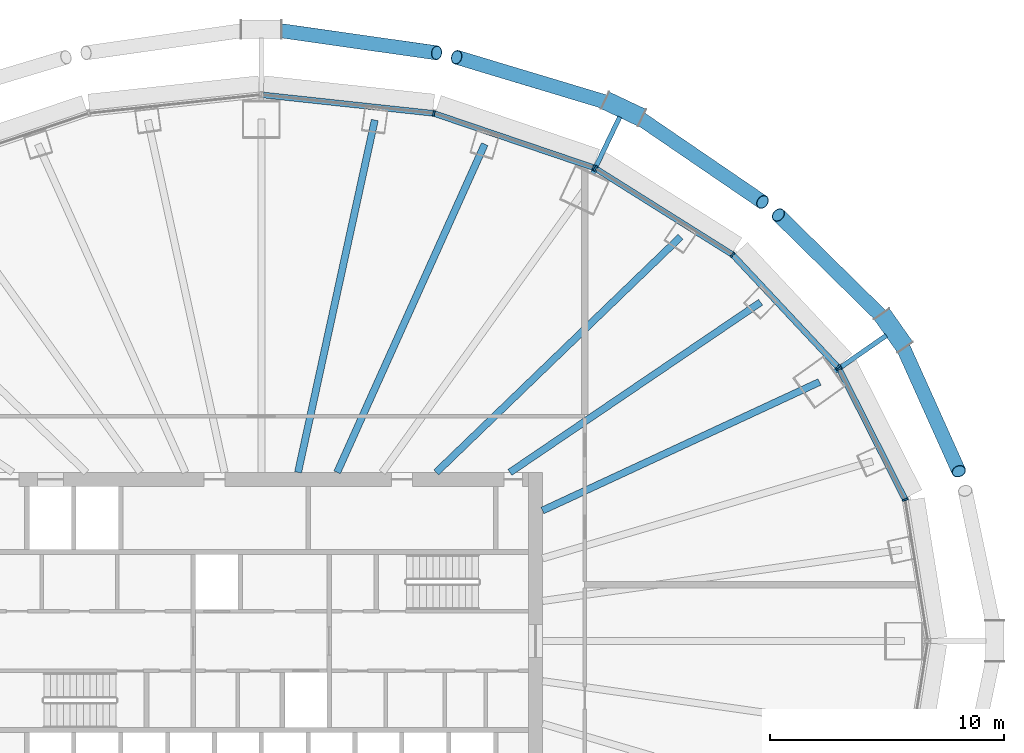
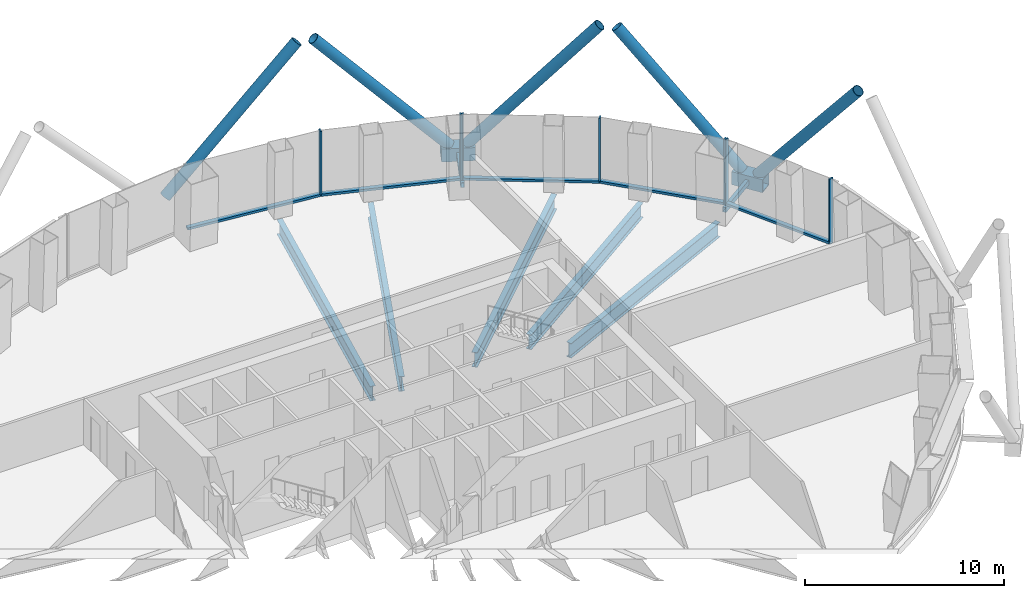
# One storey, part 5 of 16: 21 members, 5 beams, 3 elements without a shape of their own.
"""IFC4 building model written with IfcOpenShell, lengths in metres."""

import ifcopenshell
import ifcopenshell.guid

model = None  # the IFC model being written
_history = None  # IfcOwnerHistory: only IFC2X3 demands one
_inside = {}  # id of a spatial element -> (the spatial element, [elements in it])
_under = {}  # id of a project, library or spatial element -> (it, [spatial elements below it])
_declared = {}  # id of a project -> (the project, [libraries it declares])
_typed = {}  # id of a type object -> (the type object, [elements of that type])
_made_of = {}  # id of a material, layer set ... -> (it, [elements and type objects made of it])


def new_model(schema):
    """Start an empty IFC model of exactly this schema.

    Asked for "IFC4X3", IfcOpenShell would pick the latest addendum, in which some entities
    have other attributes; the version numbers below select the first issue.
    IFC2X3 requires an IfcOwnerHistory on every rooted entity: one is made here for all.
    """
    global model, _history
    if schema == "IFC4X3":
        model = ifcopenshell.file(schema_version=(4, 3, 0, 0))
    else:
        model = ifcopenshell.file(schema=schema)
    _inside.clear()
    _under.clear()
    _declared.clear()
    _typed.clear()
    _made_of.clear()
    _history = None
    if model.schema == "IFC2X3":
        org = make("IfcOrganization", Name="unknown")
        user = make(
            "IfcPersonAndOrganization",
            ThePerson=make("IfcPerson", FamilyName="unknown"),
            TheOrganization=org,
        )
        app = make(
            "IfcApplication",
            ApplicationDeveloper=org,
            Version="unknown",
            ApplicationFullName="unknown",
            ApplicationIdentifier="unknown",
        )
        _history = make(
            "IfcOwnerHistory",
            OwningUser=user,
            OwningApplication=app,
            ChangeAction="ADDED",
            CreationDate=0,
        )
    return model


def make(cls, **values):
    """One entity of the class cls with the attributes given. An attribute that is None is left unset."""
    return model.create_entity(
        cls, **{name: value for name, value in values.items() if value is not None}
    )


def rooted(cls, **values):
    """An entity with a GlobalId (a new one), such as an element, a storey or a relation."""
    return make(cls, GlobalId=ifcopenshell.guid.new(), OwnerHistory=_history, **values)


def si_unit(unit_type, name, prefix=None):
    """IfcSIUnit, for example si_unit("LENGTHUNIT", "METRE", prefix="MILLI")."""
    return make("IfcSIUnit", UnitType=unit_type, Prefix=prefix, Name=name)


def assignment(units):
    """IfcUnitAssignment: the units of a project."""
    return None if units is None else make("IfcUnitAssignment", Units=units)


def point(xyz):
    """IfcCartesianPoint."""
    return None if xyz is None else make("IfcCartesianPoint", Coordinates=xyz)


def direction(xyz):
    """IfcDirection."""
    return None if xyz is None else make("IfcDirection", DirectionRatios=xyz)


def frame(location, z_axis=None, x_axis=None):
    """IfcAxis2Placement3D, a coordinate frame: its origin and axes. An axis left out is left unset."""
    return make(
        "IfcAxis2Placement3D",
        Location=point(location),
        Axis=direction(z_axis),
        RefDirection=direction(x_axis),
    )


def frame_2d(location, x_axis=None):
    """IfcAxis2Placement2D, a coordinate frame in the plane: its origin and x axis."""
    return make(
        "IfcAxis2Placement2D", Location=point(location), RefDirection=direction(x_axis)
    )


def origin():
    """The frame at (0, 0, 0) with its axes left unset."""
    return frame((0.0, 0.0, 0.0))


def origin_2d():
    """The frame at (0, 0) in the plane with its x axis left unset."""
    return frame_2d((0.0, 0.0))


def place(relative_to, where):
    """IfcLocalPlacement: puts the frame where relative to a parent placement (None: the world)."""
    return make(
        "IfcLocalPlacement", PlacementRelTo=relative_to, RelativePlacement=where
    )


def context(
    kind, dimensions, precision=None, world=None, true_north=None, identifier=None
):
    """IfcGeometricRepresentationContext, for example the 3D "Model" context."""
    return make(
        "IfcGeometricRepresentationContext",
        ContextIdentifier=identifier,
        ContextType=kind,
        CoordinateSpaceDimension=dimensions,
        Precision=precision,
        WorldCoordinateSystem=world,
        TrueNorth=true_north,
    )


def subcontext(parent, identifier, kind, view, scale=None):
    """IfcGeometricRepresentationSubContext, for example "Body" below "Model"."""
    return make(
        "IfcGeometricRepresentationSubContext",
        ContextIdentifier=identifier,
        ContextType=kind,
        ParentContext=parent,
        TargetScale=scale,
        TargetView=view,
    )


def project(units=None, contexts=None):
    """IfcProject with its units and contexts."""
    return rooted(
        "IfcProject",
        Name="project",
        RepresentationContexts=contexts,
        UnitsInContext=assignment(units),
    )


def spatial(cls, under=None, at=None, **own):
    """A site, building, storey or space (cls), placed at a placement, below another one or the project."""
    s = rooted(cls, ObjectPlacement=at, **own)
    if under is not None:
        _under.setdefault(under.id(), (under, []))[1].append(s)
    return s


def profile(cls, at=None, kind="AREA", **sizes):
    """A parametric profile (cls). Its sizes go by their IFC names, for example OverallWidth=200.0."""
    return make(cls, ProfileType=kind, Position=at, **sizes)


def rectangle(**sizes):
    """IfcRectangleProfileDef."""
    return profile("IfcRectangleProfileDef", **sizes)


def hollow_rectangle(**sizes):
    """IfcRectangleHollowProfileDef."""
    return profile("IfcRectangleHollowProfileDef", **sizes)


def hollow_circle(**sizes):
    """IfcCircleHollowProfileDef."""
    return profile("IfcCircleHollowProfileDef", **sizes)


def i_section(**sizes):
    """IfcIShapeProfileDef."""
    return profile("IfcIShapeProfileDef", **sizes)


def extrude(swept, where, along, depth):
    """IfcExtrudedAreaSolid: the profile swept, set in the frame where, extruded along a direction by depth."""
    return make(
        "IfcExtrudedAreaSolid",
        SweptArea=swept,
        Position=where,
        ExtrudedDirection=direction(along),
        Depth=depth,
    )


def shape(context_of_items, identifier, shape_type, items):
    """IfcShapeRepresentation: the items that make up one representation, for example the "Body"."""
    return make(
        "IfcShapeRepresentation",
        ContextOfItems=context_of_items,
        RepresentationIdentifier=identifier,
        RepresentationType=shape_type,
        Items=items,
    )


def material(Name=None, Category=None):
    """IfcMaterial."""
    return make("IfcMaterial", Name=Name, Category=Category)


def layer(
    of_material, thickness, ventilated=None, Name=None, Category=None, Priority=None
):
    """IfcMaterialLayer: one layer of a wall or slab, of a material (None: an air gap)."""
    return make(
        "IfcMaterialLayer",
        Material=of_material,
        LayerThickness=thickness,
        IsVentilated=ventilated,
        Name=Name,
        Category=Category,
        Priority=Priority,
    )


def layer_set(layers, Name=None):
    """IfcMaterialLayerSet."""
    return make("IfcMaterialLayerSet", MaterialLayers=layers, LayerSetName=Name)


def material_profile(
    of_material, cross_section, Name=None, Category=None, Priority=None
):
    """IfcMaterialProfile: a cross section and its material."""
    return make(
        "IfcMaterialProfile",
        Name=Name,
        Material=of_material,
        Profile=cross_section,
        Priority=Priority,
        Category=Category,
    )


def profile_set(profiles, Name=None, composite=None):
    """IfcMaterialProfileSet."""
    return make(
        "IfcMaterialProfileSet",
        Name=Name,
        MaterialProfiles=profiles,
        CompositeProfile=composite,
    )


def made_of(thing, what):
    """Note that an element or type object is made of a material, layer set ...; save() writes the relation."""
    if what is not None:
        _made_of.setdefault(what.id(), (what, []))[1].append(thing)
    return thing


def type_object(cls, material=None, **own):
    """A type object (cls), such as IfcWallType, which elements share."""
    return made_of(rooted(cls, **own), material)


def element(
    cls,
    number,
    at=None,
    inside=None,
    cuts=None,
    type_object=None,
    material=None,
    context=None,
    identifier="Body",
    shape_type=None,
    held_by="IfcProductDefinitionShape",
    body=None,
    shapes=None,
    **own,
):
    """One element of the class cls, such as IfcWall. Its Tag is "e" and its number.

    at: its placement. inside: the storey or other place that contains it. cuts: it is an
    opening in that element (IfcRelVoidsElement). A single representation is given by context,
    identifier, shape_type and body (its items); several are given by shapes. held_by: the class
    of the entity that holds the representations. save() writes the other relations.
    """
    e = rooted(cls, Tag="e%d" % number, ObjectPlacement=at, **own)
    if body is not None:
        shapes = [shape(context, identifier, shape_type, body)]
    if shapes is not None:
        e.Representation = make(held_by, Representations=shapes)
    if inside is not None:
        _inside.setdefault(inside.id(), (inside, []))[1].append(e)
    if cuts is not None:
        rooted(
            "IfcRelVoidsElement", RelatingBuildingElement=cuts, RelatedOpeningElement=e
        )
    if type_object is not None:
        _typed.setdefault(type_object.id(), (type_object, []))[1].append(e)
    return made_of(e, material)


def aggregate(whole, parts):
    """IfcRelAggregates: a whole, such as a stair, and the parts it consists of."""
    return rooted("IfcRelAggregates", RelatingObject=whole, RelatedObjects=parts)


def save(model, path):
    """Write the relations noted so far, then the file.

    IfcRelAggregates (storeys below a building ...), IfcRelContainedInSpatialStructure (elements
    in a storey), IfcRelDefinesByType, IfcRelAssociatesMaterial and IfcRelDeclares: one each for
    every whole, place, type object, material and project.
    """
    for whole, parts in _under.values():
        aggregate(whole, parts)
    for where, things in _inside.values():
        rooted(
            "IfcRelContainedInSpatialStructure",
            RelatedElements=things,
            RelatingStructure=where,
        )
    for kind, things in _typed.values():
        rooted("IfcRelDefinesByType", RelatedObjects=things, RelatingType=kind)
    for what, things in _made_of.values():
        rooted("IfcRelAssociatesMaterial", RelatedObjects=things, RelatingMaterial=what)
    for by, libraries in _declared.values():
        rooted("IfcRelDeclares", RelatingContext=by, RelatedDefinitions=libraries)
    model.write(path)


model = new_model("IFC4")

# Units and contexts
model_context = context("Model", 3, precision=1e-05, world=origin(), true_north=direction((0.0, 1.0)))
body_context = subcontext(model_context, "Body", "Model", "MODEL_VIEW")
ifc_project = project(units=[si_unit("LENGTHUNIT", "METRE"), si_unit("AREAUNIT", "SQUARE_METRE"), si_unit("VOLUMEUNIT", "CUBIC_METRE"), si_unit("PLANEANGLEUNIT", "RADIAN"), si_unit("MASSUNIT", "GRAM", prefix="KILO")], contexts=[model_context])

# Site, building, storey
site_placement = place(None, origin())
site = spatial("IfcSite", under=ifc_project, at=site_placement, CompositionType="ELEMENT")
building_placement = place(site_placement, origin())
building = spatial("IfcBuilding", under=site, at=building_placement, Name="Siaravel Broadcast Tower", CompositionType="ELEMENT")
storey_placement = place(building_placement, frame((0.0, 0.0, 28.699951171875)))
storey = spatial("IfcBuildingStorey", under=building, at=storey_placement, Name="L05", CompositionType="ELEMENT", Elevation=28.699951171875)

# Beams
ifc_material_1 = material(Name="Steel S355", Category="steel")
ifc_material_profile_1 = material_profile(ifc_material_1, i_section(OverallWidth=0.30322265625, OverallDepth=0.903076171875, WebThickness=0.01513671875, FlangeThickness=0.020263671875, FilletRadius=0.01904296875, at=origin_2d()))
ifc_profile_set_1 = profile_set([ifc_material_profile_1], Name="Steel S355")
beam_type = type_object("IfcBeamType", Name="BM-UB 914x305x201", PredefinedType="BEAM", material=ifc_profile_set_1)
beam_1_placement = place(storey_placement, frame((23.824951171875, 11.05859375, -0.8515625), z_axis=(-0.907056733, -0.421008412, 0.0), x_axis=(0.421008412, -0.907056733, 0.0)))
element("IfcBeam", 1, at=beam_1_placement, inside=storey, type_object=beam_type, Name="Radial beam RB04", PredefinedType="BEAM", context=body_context, shape_type="SweptSolid", body=[
    extrude(i_section(OverallWidth=0.30322265625, OverallDepth=0.903076171875, WebThickness=0.01513671875, FlangeThickness=0.020263671875, FilletRadius=0.01904296875, at=origin_2d()), origin(), (0.0, 0.0, 1.0), 13.03662109375),
])
beam_2_placement = place(storey_placement, frame((21.310791015625, 14.458984375, -0.8515625), z_axis=(-0.827505228, -0.561458011, 0.0), x_axis=(0.561458011, -0.827505228, 0.0)))
element("IfcBeam", 2, at=beam_2_placement, inside=storey, type_object=beam_type, Name="Radial beam RB05", PredefinedType="BEAM", context=body_context, shape_type="SweptSolid", body=[
    extrude(i_section(OverallWidth=0.30322265625, OverallDepth=0.903076171875, WebThickness=0.01513671875, FlangeThickness=0.020263671875, FilletRadius=0.01904296875, at=origin_2d()), origin(), (0.0, 0.0, 1.0), 12.928955078125),
])
beam_3_placement = place(storey_placement, frame((17.897705078125, 17.25439453125, -0.8515625), z_axis=(-0.719923086, -0.694053852, 0.0), x_axis=(0.694053852, -0.719923086, 0.0)))
element("IfcBeam", 3, at=beam_3_placement, inside=storey, type_object=beam_type, Name="Radial beam RB06", PredefinedType="BEAM", context=body_context, shape_type="SweptSolid", body=[
    extrude(i_section(OverallWidth=0.30322265625, OverallDepth=0.903076171875, WebThickness=0.01513671875, FlangeThickness=0.020263671875, FilletRadius=0.01904296875, at=origin_2d()), origin(), (0.0, 0.0, 1.0), 14.486572265625),
])
beam_4_placement = place(storey_placement, frame((9.535888671875, 21.2080078125, -0.8515625), z_axis=(-0.41009169, -0.9120443, 0.0), x_axis=(0.9120443, -0.41009169, 0.0)))
element("IfcBeam", 4, at=beam_4_placement, inside=storey, type_object=beam_type, Name="Radial beam RB08", PredefinedType="BEAM", context=body_context, shape_type="SweptSolid", body=[
    extrude(i_section(OverallWidth=0.30322265625, OverallDepth=0.903076171875, WebThickness=0.01513671875, FlangeThickness=0.020263671875, FilletRadius=0.01904296875, at=origin_2d()), origin(), (0.0, 0.0, 1.0), 15.35888671875),
])
beam_5_placement = place(storey_placement, frame((4.843017578125, 22.23779296875, -0.8515625), z_axis=(-0.212789875, -0.977097983, 0.0), x_axis=(0.977097983, -0.212789875, 0.0)))
element("IfcBeam", 5, at=beam_5_placement, inside=storey, type_object=beam_type, Name="Radial beam RB09", PredefinedType="BEAM", context=body_context, shape_type="SweptSolid", body=[
    extrude(i_section(OverallWidth=0.30322265625, OverallDepth=0.903076171875, WebThickness=0.01513671875, FlangeThickness=0.020263671875, FilletRadius=0.01904296875, at=origin_2d()), origin(), (0.0, 0.0, 1.0), 15.390380859375),
])

# Curtain wall, members
ifc_material_2 = material(Name="Aluminium 6063-T6", Category="aluminium")
ifc_layer = layer(ifc_material_2, 0.25)
ifc_layer_set = layer_set([ifc_layer], Name="Aluminium 6063-T6")
curtain_wall_type = type_object("IfcCurtainWallType", Name="Podium newsroom glazing", PredefinedType="NOTDEFINED", material=ifc_layer_set)
curtain_wall_1_placement = place(storey_placement, origin())
curtain_wall_1 = element("IfcCurtainWall", 6, at=curtain_wall_1_placement, inside=storey, type_object=curtain_wall_type, Name="L05 Podium newsroom glazing 01", PredefinedType="NOTDEFINED")
ifc_material_profile_2 = material_profile(ifc_material_2, rectangle(XDim=0.25, YDim=0.080078125, at=origin_2d()))
ifc_profile_set_2 = profile_set([ifc_material_profile_2], Name="Aluminium 6063-T6")
member_type_1 = type_object("IfcMemberType", Name="CW-PD mullion", PredefinedType="MULLION", material=ifc_profile_set_2)
member_1_placement = place(storey_placement, frame((27.4833984375, 6.037109375, 0.0), z_axis=(0.0, 0.0, 1.0), x_axis=(-0.951176868, -0.308646343, 0.0)))
member_1 = element("IfcMember", 7, at=member_1_placement, type_object=member_type_1, Name="CW-PD mullion 2", PredefinedType="MULLION", context=body_context, shape_type="SweptSolid", body=[
    extrude(rectangle(XDim=0.25, YDim=0.080078125, at=origin_2d()), origin(), (0.0, 0.0, 1.0), 4.0),
])
member_2_placement = place(storey_placement, frame((24.6572265625, 11.6259765625, 0.0), z_axis=(0.0, 0.0, 1.0), x_axis=(-0.89239138, -0.451262258, 0.0)))
member_2 = element("IfcMember", 8, at=member_2_placement, type_object=member_type_1, Name="CW-PD mullion 3", PredefinedType="MULLION", context=body_context, shape_type="SweptSolid", body=[
    extrude(rectangle(XDim=0.25, YDim=0.080078125, at=origin_2d()), origin(), (0.0, 0.0, 1.0), 4.0),
])

curtain_wall_2_placement = place(storey_placement, origin())
curtain_wall_2 = element("IfcCurtainWall", 9, at=curtain_wall_2_placement, inside=storey, type_object=curtain_wall_type, Name="L05 Podium newsroom glazing 02", PredefinedType="NOTDEFINED")
member_3_placement = place(storey_placement, frame((24.61181640625, 11.69091796875, 0.0), z_axis=(0.0, 0.0, 1.0), x_axis=(-0.729804146, -0.68365628, 0.0)))
member_3 = element("IfcMember", 10, at=member_3_placement, type_object=member_type_1, Name="CW-PD mullion 1", PredefinedType="MULLION", context=body_context, shape_type="SweptSolid", body=[
    extrude(rectangle(XDim=0.25, YDim=0.080078125, at=origin_2d()), origin(), (0.0, 0.0, 1.0), 4.0),
])
member_4_placement = place(storey_placement, frame((20.1162109375, 16.489990234375, 0.0), z_axis=(0.0, 0.0, 1.0), x_axis=(-0.636217558, -0.771509701, 0.0)))
member_4 = element("IfcMember", 11, at=member_4_placement, type_object=member_type_1, Name="CW-PD mullion 2", PredefinedType="MULLION", context=body_context, shape_type="SweptSolid", body=[
    extrude(rectangle(XDim=0.25, YDim=0.080078125, at=origin_2d()), origin(), (0.0, 0.0, 1.0), 4.0),
])
member_5_placement = place(storey_placement, frame((14.257080078125, 20.172607421875, 0.0), z_axis=(0.0, 0.0, 1.0), x_axis=(-0.532148221, -0.84665121, 0.0)))
member_5 = element("IfcMember", 12, at=member_5_placement, type_object=member_type_1, Name="CW-PD mullion 3", PredefinedType="MULLION", context=body_context, shape_type="SweptSolid", body=[
    extrude(rectangle(XDim=0.25, YDim=0.080078125, at=origin_2d()), origin(), (0.0, 0.0, 1.0), 4.0),
])

curtain_wall_3_placement = place(storey_placement, origin())
curtain_wall_3 = element("IfcCurtainWall", 13, at=curtain_wall_3_placement, inside=storey, type_object=curtain_wall_type, Name="L05 Podium newsroom glazing 03", PredefinedType="NOTDEFINED")
member_6_placement = place(storey_placement, frame((14.185302734375, 20.206787109375, 0.0), z_axis=(0.0, 0.0, 1.0), x_axis=(-0.321299974, -0.946977469, 0.0)))
member_6 = element("IfcMember", 14, at=member_6_placement, type_object=member_type_1, Name="CW-PD mullion 1", PredefinedType="MULLION", context=body_context, shape_type="SweptSolid", body=[
    extrude(rectangle(XDim=0.25, YDim=0.080078125, at=origin_2d()), origin(), (0.0, 0.0, 1.0), 4.0),
])
member_7_placement = place(storey_placement, frame((7.362060546875, 22.521728515625, 0.0), z_axis=(0.0, 0.0, 1.0), x_axis=(-0.215557626, -0.976491121, 0.0)))
member_7 = element("IfcMember", 15, at=member_7_placement, type_object=member_type_1, Name="CW-PD mullion 2", PredefinedType="MULLION", context=body_context, shape_type="SweptSolid", body=[
    extrude(rectangle(XDim=0.25, YDim=0.080078125, at=origin_2d()), origin(), (0.0, 0.0, 1.0), 4.0),
])

# Member
ifc_material_profile_3 = material_profile(ifc_material_2, rectangle(XDim=0.25, YDim=0.139892578125, at=origin_2d()))
ifc_profile_set_3 = profile_set([ifc_material_profile_3], Name="Aluminium 6063-T6")
member_type_2 = type_object("IfcMemberType", Name="CW-PD transom", PredefinedType="USERDEFINED", material=ifc_profile_set_3)
member_8_placement = place(storey_placement, frame((27.465087890625, 6.07275390625, 0.070068359375), z_axis=(-0.451221003, 0.89241224, 0.0), x_axis=(-0.89241224, -0.451221003, 0.0)))
member_8 = element("IfcMember", 16, at=member_8_placement, type_object=member_type_2, Name="CW-PD transom 2", ObjectType="TRANSOM", PredefinedType="USERDEFINED", context=body_context, shape_type="SweptSolid", body=[
    extrude(rectangle(XDim=0.25, YDim=0.139892578125, at=origin_2d()), origin(), (0.0, 0.0, 1.0), 6.182861328125),
])

aggregate(curtain_wall_1, [member_1, member_2, member_8])

member_9_placement = place(storey_placement, frame((24.58447265625, 11.719970703125, 0.070068359375), z_axis=(-0.683673548, 0.729787969, 0.0), x_axis=(-0.729787969, -0.683673548, 0.0)))
member_9 = element("IfcMember", 17, at=member_9_placement, type_object=member_type_2, Name="CW-PD transom 1", ObjectType="TRANSOM", PredefinedType="USERDEFINED", context=body_context, shape_type="SweptSolid", body=[
    extrude(rectangle(XDim=0.25, YDim=0.139892578125, at=origin_2d()), origin(), (0.0, 0.0, 1.0), 6.49609375),
])

member_10_placement = place(storey_placement, frame((20.082275390625, 16.51123046875, 0.070068359375), z_axis=(-0.846642063, 0.532162774, 0.0), x_axis=(-0.532162774, -0.846642063, 0.0)))
member_10 = element("IfcMember", 18, at=member_10_placement, type_object=member_type_2, Name="CW-PD transom 2", ObjectType="TRANSOM", PredefinedType="USERDEFINED", context=body_context, shape_type="SweptSolid", body=[
    extrude(rectangle(XDim=0.25, YDim=0.139892578125, at=origin_2d()), origin(), (0.0, 0.0, 1.0), 6.84033203125),
])

aggregate(curtain_wall_2, [member_3, member_4, member_5, member_9, member_10])

member_11_placement = place(storey_placement, frame((14.1474609375, 20.219482421875, 0.070068359375), z_axis=(-0.946980562, 0.321290858, 0.0), x_axis=(-0.321290858, -0.946980562, 0.0)))
member_11 = element("IfcMember", 19, at=member_11_placement, type_object=member_type_2, Name="CW-PD transom 1", ObjectType="TRANSOM", PredefinedType="USERDEFINED", context=body_context, shape_type="SweptSolid", body=[
    extrude(rectangle(XDim=0.25, YDim=0.139892578125, at=origin_2d()), origin(), (0.0, 0.0, 1.0), 7.125244140625),
])

member_12_placement = place(storey_placement, frame((7.322265625, 22.526123046875, 0.070068359375), z_axis=(-0.994236146, 0.107212345, 0.0), x_axis=(-0.107212345, -0.994236146, 0.0)))
member_12 = element("IfcMember", 20, at=member_12_placement, type_object=member_type_2, Name="CW-PD transom 2", ObjectType="TRANSOM", PredefinedType="USERDEFINED", context=body_context, shape_type="SweptSolid", body=[
    extrude(rectangle(XDim=0.25, YDim=0.139892578125, at=origin_2d()), origin(), (0.0, 0.0, 1.0), 7.28466796875),
])

aggregate(curtain_wall_3, [member_6, member_7, member_11, member_12])

# Members
ifc_material_3 = material(Name="Steel S460", Category="steel")
ifc_material_profile_4 = material_profile(ifc_material_3, hollow_circle(Radius=0.304931640625, WallThickness=0.02490234375, at=origin_2d()))
ifc_profile_set_4 = profile_set([ifc_material_profile_4], Name="Steel S460")
member_type_3 = type_object("IfcMemberType", Name="Diagrid diagonal CHS 610x25", PredefinedType="BRACE", material=ifc_profile_set_4)
member_13_placement = place(storey_placement, frame((27.23046875, 12.89599609375, 0.170166015625), z_axis=(0.257898381, -0.573655403, 0.777436752), x_axis=(0.912068139, 0.410038668, 0.0)))
element("IfcMember", 21, at=member_13_placement, inside=storey, type_object=member_type_3, Name="Diagrid diagonal R03 station 06C", PredefinedType="BRACE", context=body_context, shape_type="SweptSolid", body=[
    extrude(hollow_circle(Radius=0.304931640625, WallThickness=0.02490234375, at=origin_2d()), origin(), (0.0, 0.0, 1.0), 9.852783203125),
])
member_14_placement = place(storey_placement, frame((26.728759765625, 13.60791015625, 0.170166015625), z_axis=(-0.462865916, 0.454814808, 0.760853885), x_axis=(-0.700876134, -0.713283005, 0.0)))
element("IfcMember", 22, at=member_14_placement, inside=storey, type_object=member_type_3, Name="Diagrid diagonal R03 station 06A", PredefinedType="BRACE", context=body_context, shape_type="SweptSolid", body=[
    extrude(hollow_circle(Radius=0.304931640625, WallThickness=0.02490234375, at=origin_2d()), origin(), (0.0, 0.0, 1.0), 10.067626953125),
])
member_15_placement = place(storey_placement, frame((15.85498046875, 22.522705078125, 0.170166015625), z_axis=(0.544071533, -0.371609584, 0.752258256), x_axis=(0.564011883, 0.825766672, 0.0)))
element("IfcMember", 23, at=member_15_placement, inside=storey, type_object=member_type_3, Name="Diagrid diagonal R03 station 12C", PredefinedType="BRACE", context=body_context, shape_type="SweptSolid", body=[
    extrude(hollow_circle(Radius=0.304931640625, WallThickness=0.02490234375, at=origin_2d()), origin(), (0.0, 0.0, 1.0), 10.1826171875),
])
member_16_placement = place(storey_placement, frame((15.067626953125, 22.895263671875, 0.170166015625), z_axis=(-0.647594304, 0.19465398, 0.736703092), x_axis=(-0.287857547, -0.957673239, 0.0)))
element("IfcMember", 24, at=member_16_placement, inside=storey, type_object=member_type_3, Name="Diagrid diagonal R03 station 12A", PredefinedType="BRACE", context=body_context, shape_type="SweptSolid", body=[
    extrude(hollow_circle(Radius=0.304931640625, WallThickness=0.02490234375, at=origin_2d()), origin(), (0.0, 0.0, 1.0), 10.3974609375),
])
member_17_placement = place(storey_placement, frame((0.435546875, 26.108154296875, 0.170166015625), z_axis=(0.673977872, -0.095838962, 0.732508513), x_axis=(0.140782746, 0.990040514, 0.0)))
element("IfcMember", 25, at=member_17_placement, inside=storey, type_object=member_type_3, Name="Diagrid diagonal R03 station 18C", PredefinedType="BRACE", context=body_context, shape_type="SweptSolid", body=[
    extrude(hollow_circle(Radius=0.304931640625, WallThickness=0.02490234375, at=origin_2d()), origin(), (0.0, 0.0, 1.0), 10.45703125),
])
ifc_material_profile_5 = material_profile(ifc_material_3, hollow_rectangle(XDim=0.800048828125, YDim=0.800048828125, WallThickness=0.050048828125, at=origin_2d()))
ifc_profile_set_5 = profile_set([ifc_material_profile_5], Name="Steel S460")
member_type_4 = type_object("IfcMemberType", Name="Diagrid node BOX 800x800x50", PredefinedType="USERDEFINED", material=ifc_profile_set_5)
member_18_placement = place(storey_placement, frame((27.475341796875, 12.548583984375, -0.199951171875), z_axis=(-0.576087108, 0.817388307, 0.0), x_axis=(-0.817388307, -0.576087108, 0.0)))
element("IfcMember", 26, at=member_18_placement, inside=storey, type_object=member_type_4, Name="Diagrid node R03 station 06", ObjectType="DIAGRID NODE", PredefinedType="USERDEFINED", context=body_context, shape_type="SweptSolid", body=[
    extrude(hollow_rectangle(XDim=0.800048828125, YDim=0.800048828125, WallThickness=0.050048828125, at=origin_2d()), origin(), (0.0, 0.0, 1.0), 1.720947265625),
])
member_19_placement = place(storey_placement, frame((16.2392578125, 22.341064453125, -0.199951171875), z_axis=(-0.904000505, 0.427531386, 0.0), x_axis=(-0.427531386, -0.904000505, 0.0)))
element("IfcMember", 27, at=member_19_placement, inside=storey, type_object=member_type_4, Name="Diagrid node R03 station 12", ObjectType="DIAGRID NODE", PredefinedType="USERDEFINED", context=body_context, shape_type="SweptSolid", body=[
    extrude(hollow_rectangle(XDim=0.800048828125, YDim=0.800048828125, WallThickness=0.050048828125, at=origin_2d()), origin(), (0.0, 0.0, 1.0), 1.72119140625),
])
ifc_material_profile_6 = material_profile(ifc_material_3, hollow_rectangle(XDim=0.199951171875, YDim=0.300048828125, WallThickness=0.012451171875, at=origin_2d()))
ifc_profile_set_6 = profile_set([ifc_material_profile_6], Name="Steel S460")
member_type_5 = type_object("IfcMemberType", Name="Diagrid node arm RHS 300x200x12.5", PredefinedType="STRUT", material=ifc_profile_set_6)
member_20_placement = place(storey_placement, frame((24.457275390625, 11.498291015625, -0.199951171875), z_axis=(0.821048822, 0.570857979, 0.0), x_axis=(-0.570857979, 0.821048822, 0.0)))
element("IfcMember", 28, at=member_20_placement, inside=storey, type_object=member_type_5, Name="Node arm R03 station 06", PredefinedType="STRUT", context=body_context, shape_type="SweptSolid", body=[
    extrude(hollow_rectangle(XDim=0.199951171875, YDim=0.300048828125, WallThickness=0.012451171875, at=origin_2d()), origin(), (0.0, 0.0, 1.0), 2.7021484375),
])
member_21_placement = place(storey_placement, frame((14.137451171875, 19.951416015625, -0.199951171875), z_axis=(0.432810761, 0.9014848, 0.0), x_axis=(-0.9014848, 0.432810761, 0.0)))
element("IfcMember", 29, at=member_21_placement, inside=storey, type_object=member_type_5, Name="Node arm R03 station 12", PredefinedType="STRUT", context=body_context, shape_type="SweptSolid", body=[
    extrude(hollow_rectangle(XDim=0.199951171875, YDim=0.300048828125, WallThickness=0.012451171875, at=origin_2d()), origin(), (0.0, 0.0, 1.0), 2.68896484375),
])

save(model, "model.ifc")
